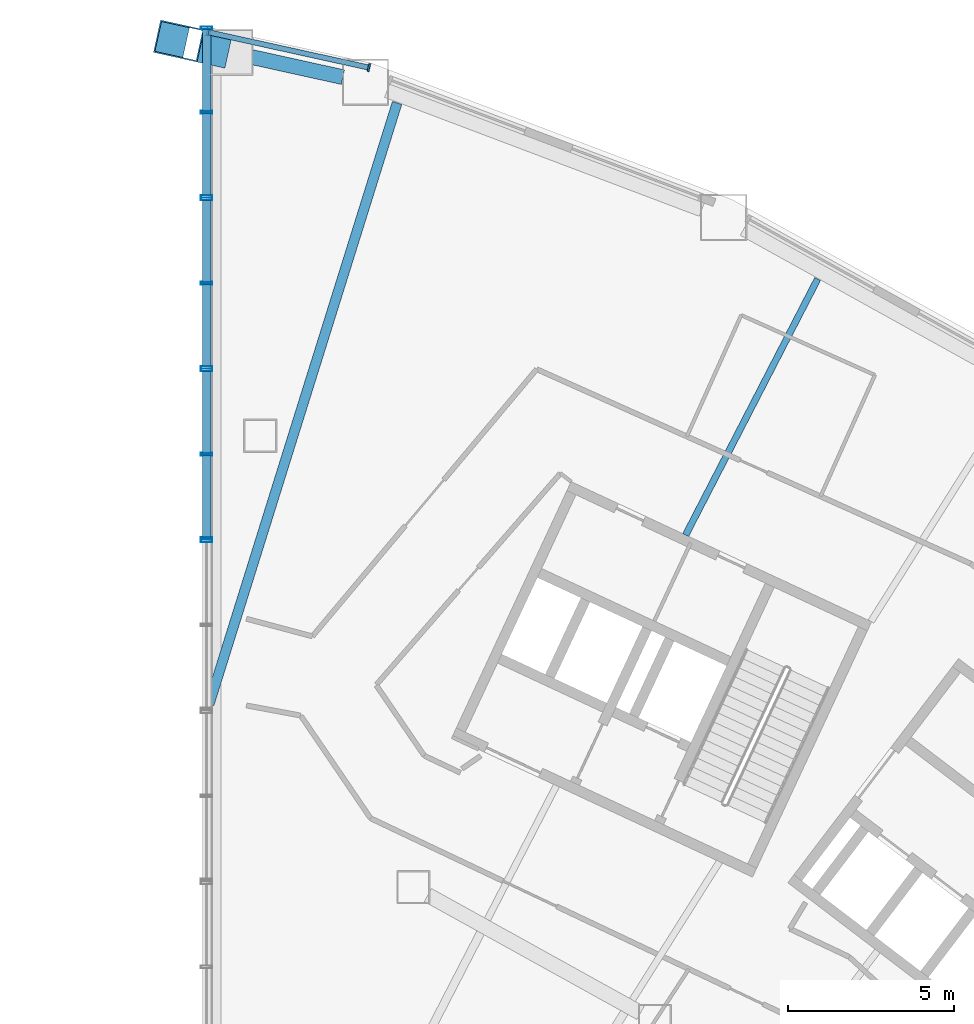
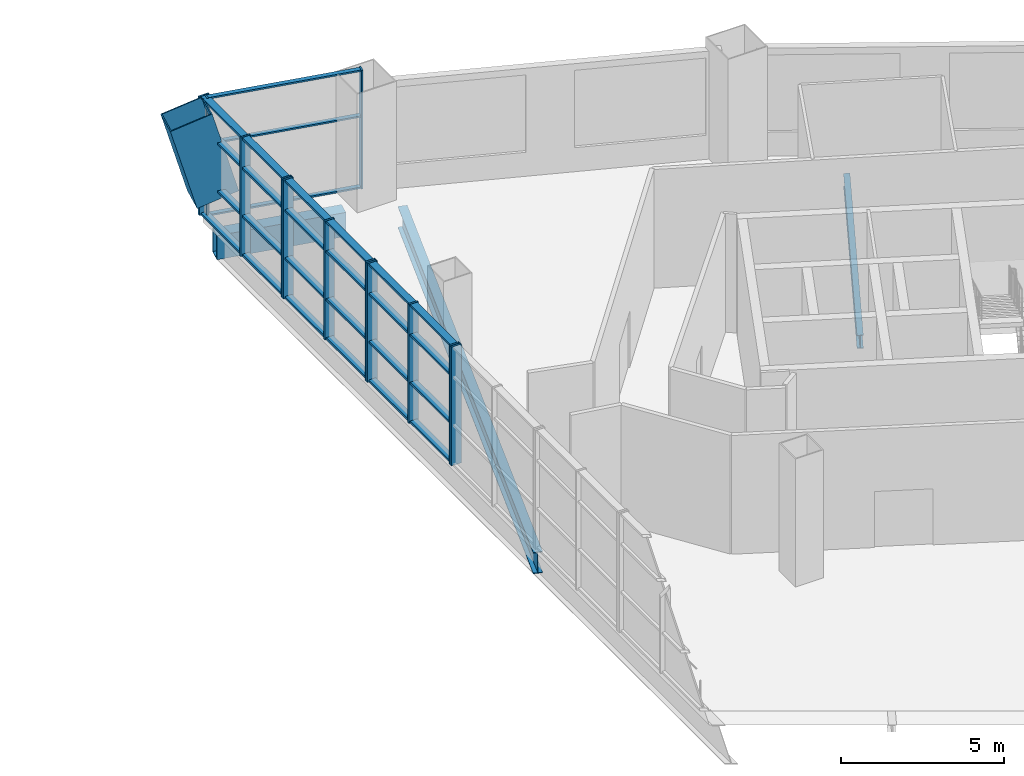
# One storey, part 15 of 26: 39 members, 4 beams, 5 elements without a shape of their own.
"""IFC4 building model written with IfcOpenShell, lengths in metres."""

import ifcopenshell
import ifcopenshell.guid

model = None  # the IFC model being written
_history = None  # IfcOwnerHistory: only IFC2X3 demands one
_inside = {}  # id of a spatial element -> (the spatial element, [elements in it])
_under = {}  # id of a project, library or spatial element -> (it, [spatial elements below it])
_declared = {}  # id of a project -> (the project, [libraries it declares])
_typed = {}  # id of a type object -> (the type object, [elements of that type])
_made_of = {}  # id of a material, layer set ... -> (it, [elements and type objects made of it])


def new_model(schema):
    """Start an empty IFC model of exactly this schema.

    Asked for "IFC4X3", IfcOpenShell would pick the latest addendum, in which some entities
    have other attributes; the version numbers below select the first issue.
    IFC2X3 requires an IfcOwnerHistory on every rooted entity: one is made here for all.
    """
    global model, _history
    if schema == "IFC4X3":
        model = ifcopenshell.file(schema_version=(4, 3, 0, 0))
    else:
        model = ifcopenshell.file(schema=schema)
    _inside.clear()
    _under.clear()
    _declared.clear()
    _typed.clear()
    _made_of.clear()
    _history = None
    if model.schema == "IFC2X3":
        org = make("IfcOrganization", Name="unknown")
        user = make(
            "IfcPersonAndOrganization",
            ThePerson=make("IfcPerson", FamilyName="unknown"),
            TheOrganization=org,
        )
        app = make(
            "IfcApplication",
            ApplicationDeveloper=org,
            Version="unknown",
            ApplicationFullName="unknown",
            ApplicationIdentifier="unknown",
        )
        _history = make(
            "IfcOwnerHistory",
            OwningUser=user,
            OwningApplication=app,
            ChangeAction="ADDED",
            CreationDate=0,
        )
    return model


def make(cls, **values):
    """One entity of the class cls with the attributes given. An attribute that is None is left unset."""
    return model.create_entity(
        cls, **{name: value for name, value in values.items() if value is not None}
    )


def rooted(cls, **values):
    """An entity with a GlobalId (a new one), such as an element, a storey or a relation."""
    return make(cls, GlobalId=ifcopenshell.guid.new(), OwnerHistory=_history, **values)


def si_unit(unit_type, name, prefix=None):
    """IfcSIUnit, for example si_unit("LENGTHUNIT", "METRE", prefix="MILLI")."""
    return make("IfcSIUnit", UnitType=unit_type, Prefix=prefix, Name=name)


def assignment(units):
    """IfcUnitAssignment: the units of a project."""
    return None if units is None else make("IfcUnitAssignment", Units=units)


def point(xyz):
    """IfcCartesianPoint."""
    return None if xyz is None else make("IfcCartesianPoint", Coordinates=xyz)


def direction(xyz):
    """IfcDirection."""
    return None if xyz is None else make("IfcDirection", DirectionRatios=xyz)


def frame(location, z_axis=None, x_axis=None):
    """IfcAxis2Placement3D, a coordinate frame: its origin and axes. An axis left out is left unset."""
    return make(
        "IfcAxis2Placement3D",
        Location=point(location),
        Axis=direction(z_axis),
        RefDirection=direction(x_axis),
    )


def frame_2d(location, x_axis=None):
    """IfcAxis2Placement2D, a coordinate frame in the plane: its origin and x axis."""
    return make(
        "IfcAxis2Placement2D", Location=point(location), RefDirection=direction(x_axis)
    )


def origin():
    """The frame at (0, 0, 0) with its axes left unset."""
    return frame((0.0, 0.0, 0.0))


def origin_2d():
    """The frame at (0, 0) in the plane with its x axis left unset."""
    return frame_2d((0.0, 0.0))


def place(relative_to, where):
    """IfcLocalPlacement: puts the frame where relative to a parent placement (None: the world)."""
    return make(
        "IfcLocalPlacement", PlacementRelTo=relative_to, RelativePlacement=where
    )


def context(
    kind, dimensions, precision=None, world=None, true_north=None, identifier=None
):
    """IfcGeometricRepresentationContext, for example the 3D "Model" context."""
    return make(
        "IfcGeometricRepresentationContext",
        ContextIdentifier=identifier,
        ContextType=kind,
        CoordinateSpaceDimension=dimensions,
        Precision=precision,
        WorldCoordinateSystem=world,
        TrueNorth=true_north,
    )


def subcontext(parent, identifier, kind, view, scale=None):
    """IfcGeometricRepresentationSubContext, for example "Body" below "Model"."""
    return make(
        "IfcGeometricRepresentationSubContext",
        ContextIdentifier=identifier,
        ContextType=kind,
        ParentContext=parent,
        TargetScale=scale,
        TargetView=view,
    )


def project(units=None, contexts=None):
    """IfcProject with its units and contexts."""
    return rooted(
        "IfcProject",
        Name="project",
        RepresentationContexts=contexts,
        UnitsInContext=assignment(units),
    )


def spatial(cls, under=None, at=None, **own):
    """A site, building, storey or space (cls), placed at a placement, below another one or the project."""
    s = rooted(cls, ObjectPlacement=at, **own)
    if under is not None:
        _under.setdefault(under.id(), (under, []))[1].append(s)
    return s


def profile(cls, at=None, kind="AREA", **sizes):
    """A parametric profile (cls). Its sizes go by their IFC names, for example OverallWidth=200.0."""
    return make(cls, ProfileType=kind, Position=at, **sizes)


def rectangle(**sizes):
    """IfcRectangleProfileDef."""
    return profile("IfcRectangleProfileDef", **sizes)


def hollow_rectangle(**sizes):
    """IfcRectangleHollowProfileDef."""
    return profile("IfcRectangleHollowProfileDef", **sizes)


def i_section(**sizes):
    """IfcIShapeProfileDef."""
    return profile("IfcIShapeProfileDef", **sizes)


def extrude(swept, where, along, depth):
    """IfcExtrudedAreaSolid: the profile swept, set in the frame where, extruded along a direction by depth."""
    return make(
        "IfcExtrudedAreaSolid",
        SweptArea=swept,
        Position=where,
        ExtrudedDirection=direction(along),
        Depth=depth,
    )


def shape(context_of_items, identifier, shape_type, items):
    """IfcShapeRepresentation: the items that make up one representation, for example the "Body"."""
    return make(
        "IfcShapeRepresentation",
        ContextOfItems=context_of_items,
        RepresentationIdentifier=identifier,
        RepresentationType=shape_type,
        Items=items,
    )


def material(Name=None, Category=None):
    """IfcMaterial."""
    return make("IfcMaterial", Name=Name, Category=Category)


def layer(
    of_material, thickness, ventilated=None, Name=None, Category=None, Priority=None
):
    """IfcMaterialLayer: one layer of a wall or slab, of a material (None: an air gap)."""
    return make(
        "IfcMaterialLayer",
        Material=of_material,
        LayerThickness=thickness,
        IsVentilated=ventilated,
        Name=Name,
        Category=Category,
        Priority=Priority,
    )


def layer_set(layers, Name=None):
    """IfcMaterialLayerSet."""
    return make("IfcMaterialLayerSet", MaterialLayers=layers, LayerSetName=Name)


def material_profile(
    of_material, cross_section, Name=None, Category=None, Priority=None
):
    """IfcMaterialProfile: a cross section and its material."""
    return make(
        "IfcMaterialProfile",
        Name=Name,
        Material=of_material,
        Profile=cross_section,
        Priority=Priority,
        Category=Category,
    )


def profile_set(profiles, Name=None, composite=None):
    """IfcMaterialProfileSet."""
    return make(
        "IfcMaterialProfileSet",
        Name=Name,
        MaterialProfiles=profiles,
        CompositeProfile=composite,
    )


def made_of(thing, what):
    """Note that an element or type object is made of a material, layer set ...; save() writes the relation."""
    if what is not None:
        _made_of.setdefault(what.id(), (what, []))[1].append(thing)
    return thing


def type_object(cls, material=None, **own):
    """A type object (cls), such as IfcWallType, which elements share."""
    return made_of(rooted(cls, **own), material)


def element(
    cls,
    number,
    at=None,
    inside=None,
    cuts=None,
    type_object=None,
    material=None,
    context=None,
    identifier="Body",
    shape_type=None,
    held_by="IfcProductDefinitionShape",
    body=None,
    shapes=None,
    **own,
):
    """One element of the class cls, such as IfcWall. Its Tag is "e" and its number.

    at: its placement. inside: the storey or other place that contains it. cuts: it is an
    opening in that element (IfcRelVoidsElement). A single representation is given by context,
    identifier, shape_type and body (its items); several are given by shapes. held_by: the class
    of the entity that holds the representations. save() writes the other relations.
    """
    e = rooted(cls, Tag="e%d" % number, ObjectPlacement=at, **own)
    if body is not None:
        shapes = [shape(context, identifier, shape_type, body)]
    if shapes is not None:
        e.Representation = make(held_by, Representations=shapes)
    if inside is not None:
        _inside.setdefault(inside.id(), (inside, []))[1].append(e)
    if cuts is not None:
        rooted(
            "IfcRelVoidsElement", RelatingBuildingElement=cuts, RelatedOpeningElement=e
        )
    if type_object is not None:
        _typed.setdefault(type_object.id(), (type_object, []))[1].append(e)
    return made_of(e, material)


def aggregate(whole, parts):
    """IfcRelAggregates: a whole, such as a stair, and the parts it consists of."""
    return rooted("IfcRelAggregates", RelatingObject=whole, RelatedObjects=parts)


def save(model, path):
    """Write the relations noted so far, then the file.

    IfcRelAggregates (storeys below a building ...), IfcRelContainedInSpatialStructure (elements
    in a storey), IfcRelDefinesByType, IfcRelAssociatesMaterial and IfcRelDeclares: one each for
    every whole, place, type object, material and project.
    """
    for whole, parts in _under.values():
        aggregate(whole, parts)
    for where, things in _inside.values():
        rooted(
            "IfcRelContainedInSpatialStructure",
            RelatedElements=things,
            RelatingStructure=where,
        )
    for kind, things in _typed.values():
        rooted("IfcRelDefinesByType", RelatedObjects=things, RelatingType=kind)
    for what, things in _made_of.values():
        rooted("IfcRelAssociatesMaterial", RelatedObjects=things, RelatingMaterial=what)
    for by, libraries in _declared.values():
        rooted("IfcRelDeclares", RelatingContext=by, RelatedDefinitions=libraries)
    model.write(path)


model = new_model("IFC4")

# Units and contexts
model_context = context("Model", 3, precision=1e-05, world=origin(), true_north=direction((0.0, 1.0)))
body_context = subcontext(model_context, "Body", "Model", "MODEL_VIEW")
ifc_project = project(units=[si_unit("LENGTHUNIT", "METRE"), si_unit("AREAUNIT", "SQUARE_METRE"), si_unit("VOLUMEUNIT", "CUBIC_METRE"), si_unit("PLANEANGLEUNIT", "RADIAN"), si_unit("MASSUNIT", "GRAM", prefix="KILO")], contexts=[model_context])

# Site, building, storey
site_placement = place(None, origin())
site = spatial("IfcSite", under=ifc_project, at=site_placement, CompositionType="ELEMENT")
building_placement = place(site_placement, origin())
building = spatial("IfcBuilding", under=site, at=building_placement, Name="Tuul Gate Civic Tower", CompositionType="ELEMENT")
storey_placement = place(building_placement, frame((0.0, 0.0, 7.5)))
storey = spatial("IfcBuildingStorey", under=building, at=storey_placement, Name="Level 01", CompositionType="ELEMENT", Elevation=7.5)

# Curtain wall, member
ifc_material_1 = material(Name="Stainless steel", Category="steel")
ifc_layer_1 = layer(ifc_material_1, 0.199951171875)
ifc_layer_set_1 = layer_set([ifc_layer_1], Name="Stainless steel")
curtain_wall_type_1 = type_object("IfcCurtainWallType", Name="Curtain wall CW2", PredefinedType="NOTDEFINED", material=ifc_layer_set_1)
curtain_wall_1_placement = place(storey_placement, origin())
curtain_wall_1 = element("IfcCurtainWall", 1, at=curtain_wall_1_placement, inside=storey, type_object=curtain_wall_type_1, Name="Curtain wall CW2", PredefinedType="NOTDEFINED")
ifc_material_2 = material(Name="Stainless steel", Category="steel")
ifc_material_profile_1 = material_profile(ifc_material_2, hollow_rectangle(XDim=0.35009765625, YDim=0.080078125, WallThickness=0.006103515625, at=origin_2d()), Name="CW2 mullion")
ifc_profile_set_1 = profile_set([ifc_material_profile_1], Name="Stainless steel")
member_type_1 = type_object("IfcMemberType", Name="CW2 mullion", PredefinedType="MULLION", material=ifc_profile_set_1)
member_1_placement = place(storey_placement, frame((18.0, 2.753173828125, 0.0), z_axis=(0.0, 0.0, 1.0), x_axis=(-1.0, 0.0, 0.0)))
member_1 = element("IfcMember", 2, at=member_1_placement, type_object=member_type_1, Name="Mullion", PredefinedType="MULLION", context=body_context, shape_type="SweptSolid", body=[
    extrude(hollow_rectangle(XDim=0.35009765625, YDim=0.080078125, WallThickness=0.006103515625, at=origin_2d()), origin(), (0.0, 0.0, 1.0), 4.449951171875),
])
aggregate(curtain_wall_1, [member_1])

# Curtain wall, members
curtain_wall_2_placement = place(storey_placement, origin())
curtain_wall_2 = element("IfcCurtainWall", 3, at=curtain_wall_2_placement, inside=storey, type_object=curtain_wall_type_1, Name="Curtain wall CW2", PredefinedType="NOTDEFINED")
member_2_placement = place(storey_placement, frame((18.0, 2.833251953125, 0.0), z_axis=(0.0, 0.0, 1.0), x_axis=(-1.0, 0.0, 0.0)))
member_2 = element("IfcMember", 4, at=member_2_placement, type_object=member_type_1, Name="Mullion", PredefinedType="MULLION", context=body_context, shape_type="SweptSolid", body=[
    extrude(hollow_rectangle(XDim=0.35009765625, YDim=0.080078125, WallThickness=0.006103515625, at=origin_2d()), origin(), (0.0, 0.0, 1.0), 4.449951171875),
])
member_3_placement = place(storey_placement, frame((18.0, 5.371826171875, 0.0), z_axis=(0.0, 0.0, 1.0), x_axis=(-1.0, 0.0, 0.0)))
member_3 = element("IfcMember", 5, at=member_3_placement, type_object=member_type_1, Name="Mullion", PredefinedType="MULLION", context=body_context, shape_type="SweptSolid", body=[
    extrude(hollow_rectangle(XDim=0.35009765625, YDim=0.080078125, WallThickness=0.006103515625, at=origin_2d()), origin(), (0.0, 0.0, 1.0), 4.449951171875),
])
member_4_placement = place(storey_placement, frame((18.0, 7.910400390625, 0.0), z_axis=(0.0, 0.0, 1.0), x_axis=(-1.0, 0.0, 0.0)))
member_4 = element("IfcMember", 6, at=member_4_placement, type_object=member_type_1, Name="Mullion", PredefinedType="MULLION", context=body_context, shape_type="SweptSolid", body=[
    extrude(hollow_rectangle(XDim=0.35009765625, YDim=0.080078125, WallThickness=0.006103515625, at=origin_2d()), origin(), (0.0, 0.0, 1.0), 4.449951171875),
])

curtain_wall_3_placement = place(storey_placement, origin())
curtain_wall_3 = element("IfcCurtainWall", 7, at=curtain_wall_3_placement, inside=storey, type_object=curtain_wall_type_1, Name="Curtain wall CW2", PredefinedType="NOTDEFINED")
member_5_placement = place(storey_placement, frame((18.0, 7.990478515625, 0.0), z_axis=(0.0, 0.0, 1.0), x_axis=(-1.0, 0.0, 0.0)))
member_5 = element("IfcMember", 8, at=member_5_placement, type_object=member_type_1, Name="Mullion", PredefinedType="MULLION", context=body_context, shape_type="SweptSolid", body=[
    extrude(hollow_rectangle(XDim=0.35009765625, YDim=0.080078125, WallThickness=0.006103515625, at=origin_2d()), origin(), (0.0, 0.0, 1.0), 4.449951171875),
])
member_6_placement = place(storey_placement, frame((18.0, 10.529052734375, 0.0), z_axis=(0.0, 0.0, 1.0), x_axis=(-1.0, 0.0, 0.0)))
member_6 = element("IfcMember", 9, at=member_6_placement, type_object=member_type_1, Name="Mullion", PredefinedType="MULLION", context=body_context, shape_type="SweptSolid", body=[
    extrude(hollow_rectangle(XDim=0.35009765625, YDim=0.080078125, WallThickness=0.006103515625, at=origin_2d()), origin(), (0.0, 0.0, 1.0), 4.449951171875),
])
member_7_placement = place(storey_placement, frame((18.0, 13.067626953125, 0.0), z_axis=(0.0, 0.0, 1.0), x_axis=(-1.0, 0.0, 0.0)))
member_7 = element("IfcMember", 10, at=member_7_placement, type_object=member_type_1, Name="Mullion", PredefinedType="MULLION", context=body_context, shape_type="SweptSolid", body=[
    extrude(hollow_rectangle(XDim=0.35009765625, YDim=0.080078125, WallThickness=0.006103515625, at=origin_2d()), origin(), (0.0, 0.0, 1.0), 4.449951171875),
])

curtain_wall_4_placement = place(storey_placement, origin())
curtain_wall_4 = element("IfcCurtainWall", 11, at=curtain_wall_4_placement, inside=storey, type_object=curtain_wall_type_1, Name="Curtain wall CW2", PredefinedType="NOTDEFINED")
member_8_placement = place(storey_placement, frame((18.0, 13.147705078125, 0.0), z_axis=(0.0, 0.0, 1.0), x_axis=(-1.0, 0.0, 0.0)))
member_8 = element("IfcMember", 12, at=member_8_placement, type_object=member_type_1, Name="Mullion", PredefinedType="MULLION", context=body_context, shape_type="SweptSolid", body=[
    extrude(hollow_rectangle(XDim=0.35009765625, YDim=0.080078125, WallThickness=0.006103515625, at=origin_2d()), origin(), (0.0, 0.0, 1.0), 4.449951171875),
])
member_9_placement = place(storey_placement, frame((18.0, 15.686279296875, 0.0), z_axis=(0.0, 0.0, 1.0), x_axis=(-1.0, 0.0, 0.0)))
member_9 = element("IfcMember", 13, at=member_9_placement, type_object=member_type_1, Name="Mullion", PredefinedType="MULLION", context=body_context, shape_type="SweptSolid", body=[
    extrude(hollow_rectangle(XDim=0.35009765625, YDim=0.080078125, WallThickness=0.006103515625, at=origin_2d()), origin(), (0.0, 0.0, 1.0), 4.449951171875),
])
member_10_placement = place(storey_placement, frame((18.0, 18.22509765625, 0.0), z_axis=(0.0, 0.0, 1.0), x_axis=(-1.0, 0.0, 0.0)))
member_10 = element("IfcMember", 14, at=member_10_placement, type_object=member_type_1, Name="Mullion", PredefinedType="MULLION", context=body_context, shape_type="SweptSolid", body=[
    extrude(hollow_rectangle(XDim=0.35009765625, YDim=0.080078125, WallThickness=0.006103515625, at=origin_2d()), origin(), (0.0, 0.0, 1.0), 4.449951171875),
])

# Member
ifc_material_3 = material(Name="Stainless steel", Category="steel")
ifc_material_profile_2 = material_profile(ifc_material_3, hollow_rectangle(XDim=0.25, YDim=0.080078125, WallThickness=0.006103515625, at=origin_2d()), Name="CW2 transom")
ifc_profile_set_2 = profile_set([ifc_material_profile_2], Name="Stainless steel")
member_type_2 = type_object("IfcMemberType", Name="CW2 transom", PredefinedType="USERDEFINED", material=ifc_profile_set_2)
member_11_placement = place(storey_placement, frame((18.0, 2.873046875, 0.0400390625), z_axis=(0.0, 1.0, 0.0), x_axis=(-1.0, 0.0, 0.0)))
member_11 = element("IfcMember", 15, at=member_11_placement, type_object=member_type_2, Name="Transom", ObjectType="TRANSOM", PredefinedType="USERDEFINED", context=body_context, shape_type="SweptSolid", body=[
    extrude(hollow_rectangle(XDim=0.25, YDim=0.080078125, WallThickness=0.006103515625, at=origin_2d()), origin(), (0.0, 0.0, 1.0), 2.458740234375),
])

member_12_placement = place(storey_placement, frame((18.0, 2.873046875, 1.5), z_axis=(0.0, 1.0, 0.0), x_axis=(-1.0, 0.0, 0.0)))
member_12 = element("IfcMember", 16, at=member_12_placement, type_object=member_type_2, Name="Transom", ObjectType="TRANSOM", PredefinedType="USERDEFINED", context=body_context, shape_type="SweptSolid", body=[
    extrude(hollow_rectangle(XDim=0.25, YDim=0.080078125, WallThickness=0.006103515625, at=origin_2d()), origin(), (0.0, 0.0, 1.0), 2.458740234375),
])

member_13_placement = place(storey_placement, frame((18.0, 2.873046875, 3.300048828125), z_axis=(0.0, 1.0, 0.0), x_axis=(-1.0, 0.0, 0.0)))
member_13 = element("IfcMember", 17, at=member_13_placement, type_object=member_type_2, Name="Transom", ObjectType="TRANSOM", PredefinedType="USERDEFINED", context=body_context, shape_type="SweptSolid", body=[
    extrude(hollow_rectangle(XDim=0.25, YDim=0.080078125, WallThickness=0.006103515625, at=origin_2d()), origin(), (0.0, 0.0, 1.0), 2.458740234375),
])

member_14_placement = place(storey_placement, frame((18.0, 2.873046875, 4.409912109375), z_axis=(0.0, 1.0, 0.0), x_axis=(-1.0, 0.0, 0.0)))
member_14 = element("IfcMember", 18, at=member_14_placement, type_object=member_type_2, Name="Transom", ObjectType="TRANSOM", PredefinedType="USERDEFINED", context=body_context, shape_type="SweptSolid", body=[
    extrude(hollow_rectangle(XDim=0.25, YDim=0.080078125, WallThickness=0.006103515625, at=origin_2d()), origin(), (0.0, 0.0, 1.0), 2.458740234375),
])

member_15_placement = place(storey_placement, frame((18.0, 5.411865234375, 0.0400390625), z_axis=(0.0, 1.0, 0.0), x_axis=(-1.0, 0.0, 0.0)))
member_15 = element("IfcMember", 19, at=member_15_placement, type_object=member_type_2, Name="Transom", ObjectType="TRANSOM", PredefinedType="USERDEFINED", context=body_context, shape_type="SweptSolid", body=[
    extrude(hollow_rectangle(XDim=0.25, YDim=0.080078125, WallThickness=0.006103515625, at=origin_2d()), origin(), (0.0, 0.0, 1.0), 2.45849609375),
])

member_16_placement = place(storey_placement, frame((18.0, 5.411865234375, 1.5), z_axis=(0.0, 1.0, 0.0), x_axis=(-1.0, 0.0, 0.0)))
member_16 = element("IfcMember", 20, at=member_16_placement, type_object=member_type_2, Name="Transom", ObjectType="TRANSOM", PredefinedType="USERDEFINED", context=body_context, shape_type="SweptSolid", body=[
    extrude(hollow_rectangle(XDim=0.25, YDim=0.080078125, WallThickness=0.006103515625, at=origin_2d()), origin(), (0.0, 0.0, 1.0), 2.45849609375),
])

member_17_placement = place(storey_placement, frame((18.0, 5.411865234375, 3.300048828125), z_axis=(0.0, 1.0, 0.0), x_axis=(-1.0, 0.0, 0.0)))
member_17 = element("IfcMember", 21, at=member_17_placement, type_object=member_type_2, Name="Transom", ObjectType="TRANSOM", PredefinedType="USERDEFINED", context=body_context, shape_type="SweptSolid", body=[
    extrude(hollow_rectangle(XDim=0.25, YDim=0.080078125, WallThickness=0.006103515625, at=origin_2d()), origin(), (0.0, 0.0, 1.0), 2.45849609375),
])

member_18_placement = place(storey_placement, frame((18.0, 5.411865234375, 4.409912109375), z_axis=(0.0, 1.0, 0.0), x_axis=(-1.0, 0.0, 0.0)))
member_18 = element("IfcMember", 22, at=member_18_placement, type_object=member_type_2, Name="Transom", ObjectType="TRANSOM", PredefinedType="USERDEFINED", context=body_context, shape_type="SweptSolid", body=[
    extrude(hollow_rectangle(XDim=0.25, YDim=0.080078125, WallThickness=0.006103515625, at=origin_2d()), origin(), (0.0, 0.0, 1.0), 2.45849609375),
])

aggregate(curtain_wall_2, [member_2, member_3, member_4, member_11, member_12, member_13, member_14, member_15, member_16, member_17, member_18])

member_19_placement = place(storey_placement, frame((18.0, 8.030517578125, 0.0400390625), z_axis=(0.0, 1.0, 0.0), x_axis=(-1.0, 0.0, 0.0)))
member_19 = element("IfcMember", 23, at=member_19_placement, type_object=member_type_2, Name="Transom", ObjectType="TRANSOM", PredefinedType="USERDEFINED", context=body_context, shape_type="SweptSolid", body=[
    extrude(hollow_rectangle(XDim=0.25, YDim=0.080078125, WallThickness=0.006103515625, at=origin_2d()), origin(), (0.0, 0.0, 1.0), 2.45849609375),
])

member_20_placement = place(storey_placement, frame((18.0, 8.030517578125, 1.5), z_axis=(0.0, 1.0, 0.0), x_axis=(-1.0, 0.0, 0.0)))
member_20 = element("IfcMember", 24, at=member_20_placement, type_object=member_type_2, Name="Transom", ObjectType="TRANSOM", PredefinedType="USERDEFINED", context=body_context, shape_type="SweptSolid", body=[
    extrude(hollow_rectangle(XDim=0.25, YDim=0.080078125, WallThickness=0.006103515625, at=origin_2d()), origin(), (0.0, 0.0, 1.0), 2.45849609375),
])

member_21_placement = place(storey_placement, frame((18.0, 8.030517578125, 3.300048828125), z_axis=(0.0, 1.0, 0.0), x_axis=(-1.0, 0.0, 0.0)))
member_21 = element("IfcMember", 25, at=member_21_placement, type_object=member_type_2, Name="Transom", ObjectType="TRANSOM", PredefinedType="USERDEFINED", context=body_context, shape_type="SweptSolid", body=[
    extrude(hollow_rectangle(XDim=0.25, YDim=0.080078125, WallThickness=0.006103515625, at=origin_2d()), origin(), (0.0, 0.0, 1.0), 2.45849609375),
])

member_22_placement = place(storey_placement, frame((18.0, 8.030517578125, 4.409912109375), z_axis=(0.0, 1.0, 0.0), x_axis=(-1.0, 0.0, 0.0)))
member_22 = element("IfcMember", 26, at=member_22_placement, type_object=member_type_2, Name="Transom", ObjectType="TRANSOM", PredefinedType="USERDEFINED", context=body_context, shape_type="SweptSolid", body=[
    extrude(hollow_rectangle(XDim=0.25, YDim=0.080078125, WallThickness=0.006103515625, at=origin_2d()), origin(), (0.0, 0.0, 1.0), 2.45849609375),
])

member_23_placement = place(storey_placement, frame((18.0, 10.569091796875, 0.0400390625), z_axis=(0.0, 1.0, 0.0), x_axis=(-1.0, 0.0, 0.0)))
member_23 = element("IfcMember", 27, at=member_23_placement, type_object=member_type_2, Name="Transom", ObjectType="TRANSOM", PredefinedType="USERDEFINED", context=body_context, shape_type="SweptSolid", body=[
    extrude(hollow_rectangle(XDim=0.25, YDim=0.080078125, WallThickness=0.006103515625, at=origin_2d()), origin(), (0.0, 0.0, 1.0), 2.458740234375),
])

member_24_placement = place(storey_placement, frame((18.0, 10.569091796875, 1.5), z_axis=(0.0, 1.0, 0.0), x_axis=(-1.0, 0.0, 0.0)))
member_24 = element("IfcMember", 28, at=member_24_placement, type_object=member_type_2, Name="Transom", ObjectType="TRANSOM", PredefinedType="USERDEFINED", context=body_context, shape_type="SweptSolid", body=[
    extrude(hollow_rectangle(XDim=0.25, YDim=0.080078125, WallThickness=0.006103515625, at=origin_2d()), origin(), (0.0, 0.0, 1.0), 2.458740234375),
])

member_25_placement = place(storey_placement, frame((18.0, 10.569091796875, 3.300048828125), z_axis=(0.0, 1.0, 0.0), x_axis=(-1.0, 0.0, 0.0)))
member_25 = element("IfcMember", 29, at=member_25_placement, type_object=member_type_2, Name="Transom", ObjectType="TRANSOM", PredefinedType="USERDEFINED", context=body_context, shape_type="SweptSolid", body=[
    extrude(hollow_rectangle(XDim=0.25, YDim=0.080078125, WallThickness=0.006103515625, at=origin_2d()), origin(), (0.0, 0.0, 1.0), 2.458740234375),
])

member_26_placement = place(storey_placement, frame((18.0, 10.569091796875, 4.409912109375), z_axis=(0.0, 1.0, 0.0), x_axis=(-1.0, 0.0, 0.0)))
member_26 = element("IfcMember", 30, at=member_26_placement, type_object=member_type_2, Name="Transom", ObjectType="TRANSOM", PredefinedType="USERDEFINED", context=body_context, shape_type="SweptSolid", body=[
    extrude(hollow_rectangle(XDim=0.25, YDim=0.080078125, WallThickness=0.006103515625, at=origin_2d()), origin(), (0.0, 0.0, 1.0), 2.458740234375),
])

aggregate(curtain_wall_3, [member_5, member_6, member_7, member_19, member_20, member_21, member_22, member_23, member_24, member_25, member_26])

member_27_placement = place(storey_placement, frame((18.0, 13.187744140625, 0.0400390625), z_axis=(0.0, 1.0, 0.0), x_axis=(-1.0, 0.0, 0.0)))
member_27 = element("IfcMember", 31, at=member_27_placement, type_object=member_type_2, Name="Transom", ObjectType="TRANSOM", PredefinedType="USERDEFINED", context=body_context, shape_type="SweptSolid", body=[
    extrude(hollow_rectangle(XDim=0.25, YDim=0.080078125, WallThickness=0.006103515625, at=origin_2d()), origin(), (0.0, 0.0, 1.0), 2.45849609375),
])

member_28_placement = place(storey_placement, frame((18.0, 13.187744140625, 1.5), z_axis=(0.0, 1.0, 0.0), x_axis=(-1.0, 0.0, 0.0)))
member_28 = element("IfcMember", 32, at=member_28_placement, type_object=member_type_2, Name="Transom", ObjectType="TRANSOM", PredefinedType="USERDEFINED", context=body_context, shape_type="SweptSolid", body=[
    extrude(hollow_rectangle(XDim=0.25, YDim=0.080078125, WallThickness=0.006103515625, at=origin_2d()), origin(), (0.0, 0.0, 1.0), 2.45849609375),
])

member_29_placement = place(storey_placement, frame((18.0, 13.187744140625, 3.300048828125), z_axis=(0.0, 1.0, 0.0), x_axis=(-1.0, 0.0, 0.0)))
member_29 = element("IfcMember", 33, at=member_29_placement, type_object=member_type_2, Name="Transom", ObjectType="TRANSOM", PredefinedType="USERDEFINED", context=body_context, shape_type="SweptSolid", body=[
    extrude(hollow_rectangle(XDim=0.25, YDim=0.080078125, WallThickness=0.006103515625, at=origin_2d()), origin(), (0.0, 0.0, 1.0), 2.45849609375),
])

member_30_placement = place(storey_placement, frame((18.0, 13.187744140625, 4.409912109375), z_axis=(0.0, 1.0, 0.0), x_axis=(-1.0, 0.0, 0.0)))
member_30 = element("IfcMember", 34, at=member_30_placement, type_object=member_type_2, Name="Transom", ObjectType="TRANSOM", PredefinedType="USERDEFINED", context=body_context, shape_type="SweptSolid", body=[
    extrude(hollow_rectangle(XDim=0.25, YDim=0.080078125, WallThickness=0.006103515625, at=origin_2d()), origin(), (0.0, 0.0, 1.0), 2.45849609375),
])

member_31_placement = place(storey_placement, frame((18.0, 15.726318359375, 0.0400390625), z_axis=(0.0, 1.0, 0.0), x_axis=(-1.0, 0.0, 0.0)))
member_31 = element("IfcMember", 35, at=member_31_placement, type_object=member_type_2, Name="Transom", ObjectType="TRANSOM", PredefinedType="USERDEFINED", context=body_context, shape_type="SweptSolid", body=[
    extrude(hollow_rectangle(XDim=0.25, YDim=0.080078125, WallThickness=0.006103515625, at=origin_2d()), origin(), (0.0, 0.0, 1.0), 2.458740234375),
])

member_32_placement = place(storey_placement, frame((18.0, 15.726318359375, 1.5), z_axis=(0.0, 1.0, 0.0), x_axis=(-1.0, 0.0, 0.0)))
member_32 = element("IfcMember", 36, at=member_32_placement, type_object=member_type_2, Name="Transom", ObjectType="TRANSOM", PredefinedType="USERDEFINED", context=body_context, shape_type="SweptSolid", body=[
    extrude(hollow_rectangle(XDim=0.25, YDim=0.080078125, WallThickness=0.006103515625, at=origin_2d()), origin(), (0.0, 0.0, 1.0), 2.458740234375),
])

member_33_placement = place(storey_placement, frame((18.0, 15.726318359375, 3.300048828125), z_axis=(0.0, 1.0, 0.0), x_axis=(-1.0, 0.0, 0.0)))
member_33 = element("IfcMember", 37, at=member_33_placement, type_object=member_type_2, Name="Transom", ObjectType="TRANSOM", PredefinedType="USERDEFINED", context=body_context, shape_type="SweptSolid", body=[
    extrude(hollow_rectangle(XDim=0.25, YDim=0.080078125, WallThickness=0.006103515625, at=origin_2d()), origin(), (0.0, 0.0, 1.0), 2.458740234375),
])

member_34_placement = place(storey_placement, frame((18.0, 15.726318359375, 4.409912109375), z_axis=(0.0, 1.0, 0.0), x_axis=(-1.0, 0.0, 0.0)))
member_34 = element("IfcMember", 38, at=member_34_placement, type_object=member_type_2, Name="Transom", ObjectType="TRANSOM", PredefinedType="USERDEFINED", context=body_context, shape_type="SweptSolid", body=[
    extrude(hollow_rectangle(XDim=0.25, YDim=0.080078125, WallThickness=0.006103515625, at=origin_2d()), origin(), (0.0, 0.0, 1.0), 2.458740234375),
])

aggregate(curtain_wall_4, [member_8, member_9, member_10, member_27, member_28, member_29, member_30, member_31, member_32, member_33, member_34])

# Curtain wall, members
ifc_material_4 = material(Name="Aluminium", Category="aluminium")
ifc_layer_2 = layer(ifc_material_4, 0.199951171875)
ifc_layer_set_2 = layer_set([ifc_layer_2], Name="Aluminium")
curtain_wall_type_2 = type_object("IfcCurtainWallType", Name="Curtain wall CW6", PredefinedType="NOTDEFINED", material=ifc_layer_set_2)
curtain_wall_5_placement = place(storey_placement, origin())
curtain_wall_5 = element("IfcCurtainWall", 39, at=curtain_wall_5_placement, inside=storey, type_object=curtain_wall_type_2, Name="Curtain wall CW6", PredefinedType="NOTDEFINED")
ifc_material_5 = material(Name="Aluminium", Category="aluminium")
ifc_material_profile_3 = material_profile(ifc_material_5, rectangle(XDim=0.239990234375, YDim=0.06005859375, at=origin_2d()), Name="CW6 mullion")
ifc_profile_set_3 = profile_set([ifc_material_profile_3], Name="Aluminium")
member_type_3 = type_object("IfcMemberType", Name="CW6 mullion", PredefinedType="MULLION", material=ifc_profile_set_3)
member_35_placement = place(storey_placement, frame((22.8916015625, 17.033447265625, 0.0), z_axis=(0.0, 0.0, 1.0), x_axis=(-0.215206763662, -0.976568507005, 0.0)))
member_35 = element("IfcMember", 40, at=member_35_placement, type_object=member_type_3, Name="Mullion", PredefinedType="MULLION", context=body_context, shape_type="SweptSolid", body=[
    extrude(rectangle(XDim=0.239990234375, YDim=0.06005859375, at=origin_2d()), origin(), (0.0, 0.0, 1.0), 4.449951171875),
])
member_36_placement = place(storey_placement, frame((18.029296875, 18.10498046875, 0.0), z_axis=(0.0, 0.0, 1.0), x_axis=(-0.215206763662, -0.976568507005, 0.0)))
member_36 = element("IfcMember", 41, at=member_36_placement, type_object=member_type_3, Name="Mullion", PredefinedType="MULLION", context=body_context, shape_type="SweptSolid", body=[
    extrude(rectangle(XDim=0.239990234375, YDim=0.06005859375, at=origin_2d()), origin(), (0.0, 0.0, 1.0), 4.449951171875),
])
ifc_material_6 = material(Name="Aluminium", Category="aluminium")
ifc_material_profile_4 = material_profile(ifc_material_6, rectangle(XDim=0.159912109375, YDim=0.06005859375, at=origin_2d()), Name="CW6 transom")
ifc_profile_set_4 = profile_set([ifc_material_profile_4], Name="Aluminium")
member_type_4 = type_object("IfcMemberType", Name="CW6 transom", PredefinedType="USERDEFINED", material=ifc_profile_set_4)
member_37_placement = place(storey_placement, frame((22.8623046875, 17.039794921875, 0.030029296875), z_axis=(-0.976558152302, 0.215253746012, 0.0), x_axis=(-0.215253746012, -0.976558152302, 0.0)))
member_37 = element("IfcMember", 42, at=member_37_placement, type_object=member_type_4, Name="Transom", ObjectType="TRANSOM", PredefinedType="USERDEFINED", context=body_context, shape_type="SweptSolid", body=[
    extrude(rectangle(XDim=0.159912109375, YDim=0.06005859375, at=origin_2d()), origin(), (0.0, 0.0, 1.0), 4.9189453125),
])
member_38_placement = place(storey_placement, frame((22.8623046875, 17.039794921875, 2.699951171875), z_axis=(-0.976558152302, 0.215253746012, 0.0), x_axis=(-0.215253746012, -0.976558152302, 0.0)))
member_38 = element("IfcMember", 43, at=member_38_placement, type_object=member_type_4, Name="Transom", ObjectType="TRANSOM", PredefinedType="USERDEFINED", context=body_context, shape_type="SweptSolid", body=[
    extrude(rectangle(XDim=0.159912109375, YDim=0.06005859375, at=origin_2d()), origin(), (0.0, 0.0, 1.0), 4.9189453125),
])
member_39_placement = place(storey_placement, frame((22.8623046875, 17.039794921875, 4.419921875), z_axis=(-0.976558152302, 0.215253746012, 0.0), x_axis=(-0.215253746012, -0.976558152302, 0.0)))
member_39 = element("IfcMember", 44, at=member_39_placement, type_object=member_type_4, Name="Transom", ObjectType="TRANSOM", PredefinedType="USERDEFINED", context=body_context, shape_type="SweptSolid", body=[
    extrude(rectangle(XDim=0.159912109375, YDim=0.06005859375, at=origin_2d()), origin(), (0.0, 0.0, 1.0), 4.9189453125),
])
aggregate(curtain_wall_5, [member_35, member_36, member_37, member_38, member_39])

# Beams
ifc_material_7 = material(Name="Steel S460", Category="steel")
ifc_material_profile_5 = material_profile(ifc_material_7, hollow_rectangle(XDim=1.0, YDim=1.39990234375, WallThickness=0.0400390625, at=origin_2d()), Name="BOX1400x1000x40")
ifc_profile_set_5 = profile_set([ifc_material_profile_5], Name="Steel S460")
beam_type_1 = type_object("IfcBeamType", Name="STR-ARCH TRUSS CHORD-BOX1400x1000x40", PredefinedType="BEAM", material=ifc_profile_set_5)
beam_1_placement = place(storey_placement, frame((17.158935546875, 17.83642578125, 4.260986328125), z_axis=(0.264495318905, -0.058273424397, -0.962624762972), x_axis=(0.215159202061, 0.976578986958, 0.0)))
element("IfcBeam", 45, at=beam_1_placement, inside=storey, type_object=beam_type_1, Name="Arch rib", PredefinedType="BEAM", context=body_context, shape_type="SweptSolid", body=[
    extrude(hollow_rectangle(XDim=1.0, YDim=1.39990234375, WallThickness=0.0400390625, at=origin_2d()), origin(), (0.0, 0.0, 1.0), 3.179931640625),
])
ifc_material_8 = material(Name="Steel S355", Category="steel")
ifc_material_profile_6 = material_profile(ifc_material_8, i_section(OverallWidth=0.199951171875, OverallDepth=0.5, WebThickness=0.010009765625, FlangeThickness=0.01611328125, at=origin_2d()), Name="PG500x200x10x16")
ifc_profile_set_6 = profile_set([ifc_material_profile_6], Name="Steel S355")
beam_type_2 = type_object("IfcBeamType", Name="STR-FLOOR BEAM-PG500x200x10x16", PredefinedType="BEAM", material=ifc_profile_set_6)
beam_2_placement = place(storey_placement, frame((32.447998046875, 2.933349609375, -0.60009765625), z_axis=(0.458265539673, 0.888815332422, 0.0), x_axis=(-0.888815332422, 0.458265539673, 0.0)))
element("IfcBeam", 46, at=beam_2_placement, inside=storey, type_object=beam_type_2, Name="Floor beam", PredefinedType="BEAM", context=body_context, shape_type="SweptSolid", body=[
    extrude(i_section(OverallWidth=0.199951171875, OverallDepth=0.5, WebThickness=0.010009765625, FlangeThickness=0.01611328125, at=origin_2d()), origin(), (0.0, 0.0, 1.0), 8.685302734375),
])
ifc_material_9 = material(Name="Steel S355", Category="steel")
ifc_material_profile_7 = material_profile(ifc_material_9, i_section(OverallWidth=0.300048828125, OverallDepth=0.800048828125, WebThickness=0.013916015625, FlangeThickness=0.02490234375, at=origin_2d()), Name="PG800x300x14x25")
ifc_profile_set_7 = profile_set([ifc_material_profile_7], Name="Steel S355")
beam_type_3 = type_object("IfcBeamType", Name="STR-FLOOR BEAM-PG800x300x14x25", PredefinedType="BEAM", material=ifc_profile_set_7)
beam_3_placement = place(storey_placement, frame((18.074951171875, -2.170654296875, -0.75), z_axis=(0.298323272371, 0.954464889434, 0.0), x_axis=(-0.954464889434, 0.298323272371, 0.0)))
element("IfcBeam", 47, at=beam_3_placement, inside=storey, type_object=beam_type_3, Name="Floor beam", PredefinedType="BEAM", context=body_context, shape_type="SweptSolid", body=[
    extrude(i_section(OverallWidth=0.300048828125, OverallDepth=0.800048828125, WebThickness=0.013916015625, FlangeThickness=0.02490234375, at=origin_2d()), origin(), (0.0, 0.0, 1.0), 19.00341796875),
])
ifc_material_10 = material(Name="Steel S355", Category="steel")
ifc_material_profile_8 = material_profile(ifc_material_10, hollow_rectangle(XDim=0.449951171875, YDim=0.89990234375, WallThickness=0.02490234375, at=origin_2d()), Name="BOX900x450x25")
ifc_profile_set_8 = profile_set([ifc_material_profile_8], Name="Steel S355")
beam_type_4 = type_object("IfcBeamType", Name="STR-SPANDREL BEAM-BOX900x450x25", PredefinedType="BEAM", material=ifc_profile_set_8)
beam_4_placement = place(storey_placement, frame((22.1083984375, 16.74560546875, -0.800048828125), z_axis=(-0.976558834527, 0.215250650888, 0.0), x_axis=(-0.215250650888, -0.976558834527, 0.0)))
element("IfcBeam", 48, at=beam_4_placement, inside=storey, type_object=beam_type_4, Name="Spandrel beam", PredefinedType="BEAM", context=body_context, shape_type="SweptSolid", body=[
    extrude(hollow_rectangle(XDim=0.449951171875, YDim=0.89990234375, WallThickness=0.02490234375, at=origin_2d()), origin(), (0.0, 0.0, 1.0), 4.15576171875),
])

save(model, "model.ifc")
